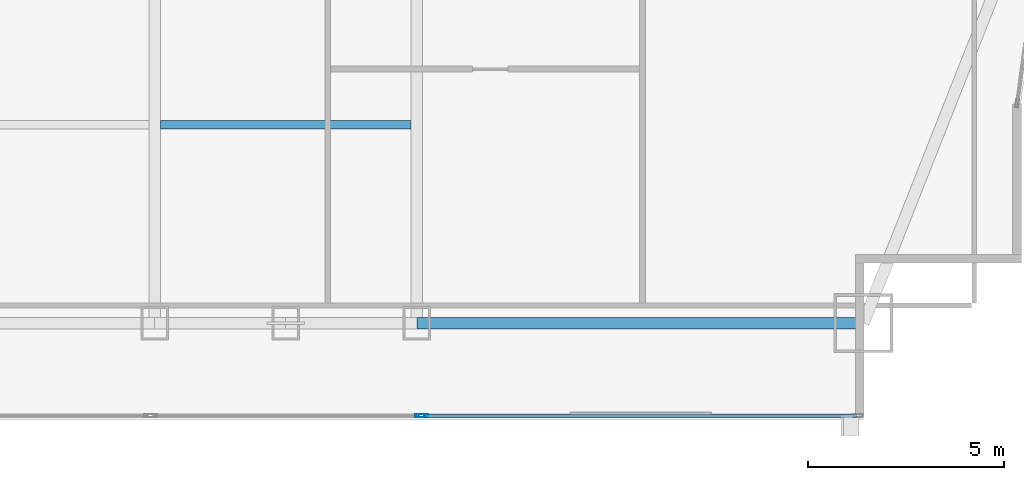
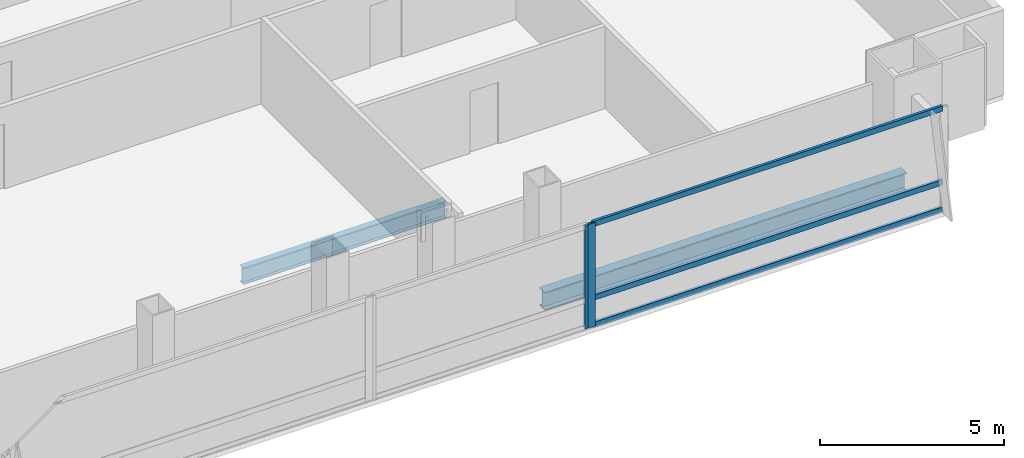
# One storey, part 15 of 32: 5 members, 2 beams, 2 elements without a shape of their own.
"""IFC4 building model written with IfcOpenShell, lengths in metres."""

from ifc_helpers import new_model, si_unit, direction, frame, origin, origin_2d, place, context, subcontext, project, spatial, hollow_rectangle, i_section, extrude, material, material_profile, profile_set, type_object, element, aggregate, save


model = new_model("IFC4")

# Units and contexts
model_context = context("Model", 3, precision=1e-05, world=origin(), true_north=direction((0.0, 1.0)))
body_context = subcontext(model_context, "Body", "Model", "MODEL_VIEW")
ifc_project = project(units=[si_unit("LENGTHUNIT", "METRE"), si_unit("AREAUNIT", "SQUARE_METRE"), si_unit("VOLUMEUNIT", "CUBIC_METRE"), si_unit("PLANEANGLEUNIT", "RADIAN"), si_unit("MASSUNIT", "GRAM", prefix="KILO")], contexts=[model_context])

# Site, building, storey
site_placement = place(None, origin())
site = spatial("IfcSite", under=ifc_project, at=site_placement, CompositionType="ELEMENT")
building_placement = place(site_placement, origin())
building = spatial("IfcBuilding", under=site, at=building_placement, Name="Khoronbel Lancet Exchange", CompositionType="ELEMENT")
storey_placement = place(building_placement, frame((0.0, 0.0, 125.39990234375)))
storey = spatial("IfcBuildingStorey", under=building, at=storey_placement, Name="L30", CompositionType="ELEMENT", Elevation=125.39990234375)

# Beams
ifc_material_1 = material(Name="Steel S355", Category="steel")
ifc_material_profile_1 = material_profile(ifc_material_1, i_section(OverallWidth=0.2099609375, OverallDepth=0.550048828125, WebThickness=0.010986328125, FlangeThickness=0.01708984375, at=origin_2d()), Name="IPE 550")
ifc_profile_set_1 = profile_set([ifc_material_profile_1], Name="Steel S355")
beam_type_1 = type_object("IfcBeamType", Name="BM-BJ2", PredefinedType="JOIST", material=ifc_profile_set_1)
beam_1_placement = place(storey_placement, frame((48.14990234375, 15.199951171875, -0.434814453125), z_axis=(1.0, 0.0, 0.0), x_axis=(0.0, 1.0, 0.0)))
element("IfcBeam", 1, at=beam_1_placement, inside=storey, type_object=beam_type_1, Name="Level L30 secondary composite joist J05", PredefinedType="JOIST", context=body_context, shape_type="SweptSolid", body=[
    extrude(i_section(OverallWidth=0.2099609375, OverallDepth=0.550048828125, WebThickness=0.010986328125, FlangeThickness=0.01708984375, at=origin_2d()), origin(), (0.0, 0.0, 1.0), 6.375),
])
ifc_material_profile_2 = material_profile(ifc_material_1, i_section(OverallWidth=0.300048828125, OverallDepth=0.60009765625, WebThickness=0.015380859375, FlangeThickness=0.030029296875, at=origin_2d()), Name="HEB 600")
ifc_profile_set_2 = profile_set([ifc_material_profile_2], Name="Steel S355")
beam_type_2 = type_object("IfcBeamType", Name="BM-BSP2", PredefinedType="SPANDREL", material=ifc_profile_set_2)
beam_2_placement = place(storey_placement, frame((54.675048828125, 10.14990234375, -0.4599609375), z_axis=(1.0, 0.0, 0.0), x_axis=(0.0, 1.0, 0.0)))
element("IfcBeam", 2, at=beam_2_placement, inside=storey, type_object=beam_type_2, Name="Level L30 perimeter spandrel beam SP09", PredefinedType="SPANDREL", context=body_context, shape_type="SweptSolid", body=[
    extrude(i_section(OverallWidth=0.300048828125, OverallDepth=0.60009765625, WebThickness=0.015380859375, FlangeThickness=0.030029296875, at=origin_2d()), origin(), (0.0, 0.0, 1.0), 11.375),
])

# Curtain wall, member
ifc_material_2 = material(Name="Low-E Solar Control Insulating Glass", Category="glass")
curtain_wall_type = type_object("IfcCurtainWallType", Name="CW-2", PredefinedType="NOTDEFINED", material=ifc_material_2)
curtain_wall_1_placement = place(storey_placement, origin())
curtain_wall_1 = element("IfcCurtainWall", 3, at=curtain_wall_1_placement, inside=storey, type_object=curtain_wall_type, Name="Unitised curtain wall CW-L30-SEB", PredefinedType="NOTDEFINED")
ifc_material_3 = material(Name="Bronze-Anodised Aluminium 6063-T6", Category="aluminium")
ifc_material_profile_3 = material_profile(ifc_material_3, hollow_rectangle(XDim=0.0849609375, YDim=0.239990234375, WallThickness=0.006103515625, at=origin_2d()), Name="ALU MULLION 85x240")
ifc_profile_set_3 = profile_set([ifc_material_profile_3], Name="Bronze-Anodised Aluminium 6063-T6")
member_type_1 = type_object("IfcMemberType", Name="MEM-CWM1", PredefinedType="MULLION", material=ifc_profile_set_3)
member_1_placement = place(storey_placement, frame((54.757568359375, 7.7900390625, 0.0), z_axis=(0.0, 0.0, 1.0), x_axis=(0.0, 1.0, 0.0)))
member_1 = element("IfcMember", 4, at=member_1_placement, type_object=member_type_1, Name="CW2 mullion 2", PredefinedType="MULLION", context=body_context, shape_type="SweptSolid", body=[
    extrude(hollow_rectangle(XDim=0.0849609375, YDim=0.239990234375, WallThickness=0.006103515625, at=origin_2d()), origin(), (0.0, 0.0, 1.0), 3.440185546875),
])
aggregate(curtain_wall_1, [member_1])

# Curtain wall, members
curtain_wall_2_placement = place(storey_placement, origin())
curtain_wall_2 = element("IfcCurtainWall", 5, at=curtain_wall_2_placement, inside=storey, type_object=curtain_wall_type, Name="Unitised curtain wall CW-L30-SEV", PredefinedType="NOTDEFINED")
member_2_placement = place(storey_placement, frame((54.842529296875, 7.7900390625, 0.0), z_axis=(0.0, 0.0, 1.0), x_axis=(0.0, 1.0, 0.0)))
member_2 = element("IfcMember", 6, at=member_2_placement, type_object=member_type_1, Name="CW2 mullion 1", PredefinedType="MULLION", context=body_context, shape_type="SweptSolid", body=[
    extrude(hollow_rectangle(XDim=0.0849609375, YDim=0.239990234375, WallThickness=0.006103515625, at=origin_2d()), origin(), (0.0, 0.0, 1.0), 3.440185546875),
])
ifc_material_profile_4 = material_profile(ifc_material_3, hollow_rectangle(XDim=0.0849609375, YDim=0.179931640625, WallThickness=0.0048828125, at=origin_2d()), Name="ALU TRANSOM 85x180")
ifc_profile_set_4 = profile_set([ifc_material_profile_4], Name="Bronze-Anodised Aluminium 6063-T6")
member_type_2 = type_object("IfcMemberType", Name="MEM-CWT1", PredefinedType="USERDEFINED", material=ifc_profile_set_4)
member_3_placement = place(storey_placement, frame((54.885009765625, 7.7900390625, 0.04248046875), z_axis=(1.0, 0.0, 0.0), x_axis=(0.0, 1.0, 0.0)))
member_3 = element("IfcMember", 7, at=member_3_placement, type_object=member_type_2, Name="CW2 transom 1.1", ObjectType="TRANSOM", PredefinedType="USERDEFINED", context=body_context, shape_type="SweptSolid", body=[
    extrude(hollow_rectangle(XDim=0.0849609375, YDim=0.179931640625, WallThickness=0.0048828125, at=origin_2d()), origin(), (0.0, 0.0, 1.0), 10.989990234375),
])
member_4_placement = place(storey_placement, frame((54.885009765625, 7.7900390625, 0.9501953125), z_axis=(1.0, 0.0, 0.0), x_axis=(0.0, 1.0, 0.0)))
member_4 = element("IfcMember", 8, at=member_4_placement, type_object=member_type_2, Name="CW2 transom 1.2", ObjectType="TRANSOM", PredefinedType="USERDEFINED", context=body_context, shape_type="SweptSolid", body=[
    extrude(hollow_rectangle(XDim=0.0849609375, YDim=0.179931640625, WallThickness=0.0048828125, at=origin_2d()), origin(), (0.0, 0.0, 1.0), 10.989990234375),
])
member_5_placement = place(storey_placement, frame((54.885009765625, 7.7900390625, 3.397705078125), z_axis=(1.0, 0.0, 0.0), x_axis=(0.0, 1.0, 0.0)))
member_5 = element("IfcMember", 9, at=member_5_placement, type_object=member_type_2, Name="CW2 transom 1.3", ObjectType="TRANSOM", PredefinedType="USERDEFINED", context=body_context, shape_type="SweptSolid", body=[
    extrude(hollow_rectangle(XDim=0.0849609375, YDim=0.179931640625, WallThickness=0.0048828125, at=origin_2d()), origin(), (0.0, 0.0, 1.0), 10.989990234375),
])
aggregate(curtain_wall_2, [member_2, member_3, member_4, member_5])

save(model, "model.ifc")
